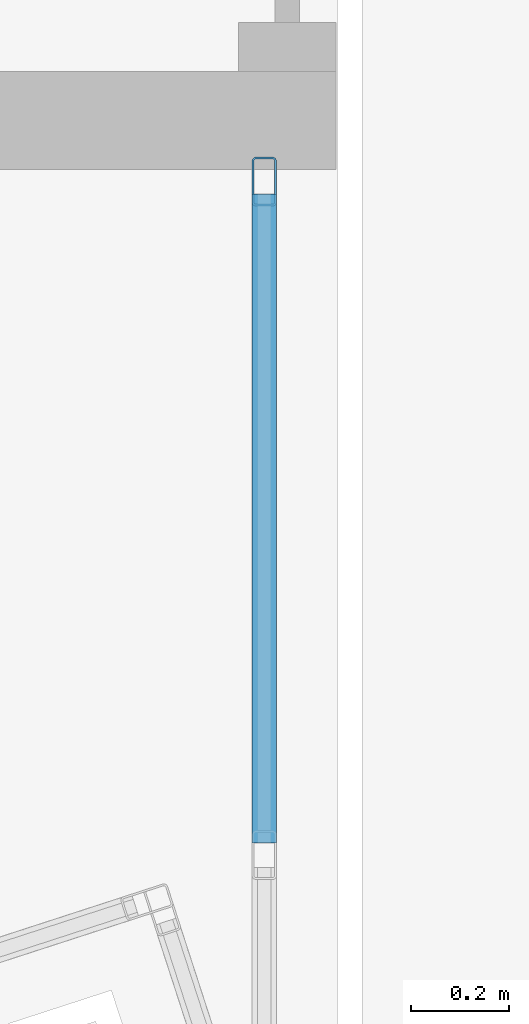
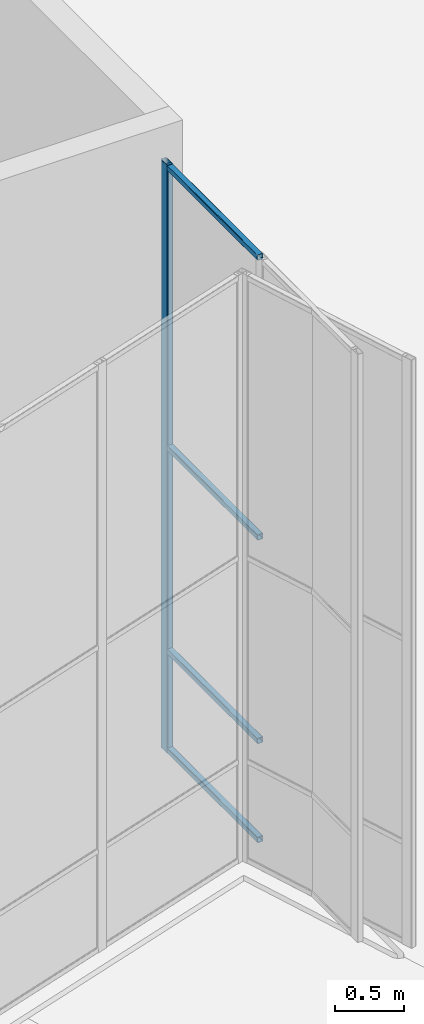
# One storey, part 14 of 72: 5 members, 1 element without a shape of its own.
"""IFC4 building model written with IfcOpenShell, lengths in metres."""

from ifc_helpers import new_model, si_unit, direction, frame, origin, origin_2d, place, context, subcontext, project, spatial, hollow_rectangle, extrude, material, layer, layer_set, material_profile, profile_set, type_object, element, aggregate, save


model = new_model("IFC4")

# Units and contexts
model_context = context("Model", 3, precision=1e-05, world=origin(), true_north=direction((0.0, 1.0)))
body_context = subcontext(model_context, "Body", "Model", "MODEL_VIEW")
ifc_project = project(units=[si_unit("LENGTHUNIT", "METRE"), si_unit("AREAUNIT", "SQUARE_METRE"), si_unit("VOLUMEUNIT", "CUBIC_METRE"), si_unit("PLANEANGLEUNIT", "RADIAN"), si_unit("MASSUNIT", "GRAM", prefix="KILO")], contexts=[model_context])

# Site, building, storey
site_placement = place(None, origin())
site = spatial("IfcSite", under=ifc_project, at=site_placement, CompositionType="ELEMENT")
building_placement = place(site_placement, origin())
building = spatial("IfcBuilding", under=site, at=building_placement, Name="Tuart Plaza Theatre", CompositionType="ELEMENT")
storey_placement = place(building_placement, origin())
storey = spatial("IfcBuildingStorey", under=building, at=storey_placement, Name="L00", CompositionType="ELEMENT", Elevation=0.0)

# Curtain wall, members
ifc_material_1 = material(Name="Aluminium and glass", Category="aluminium")
ifc_layer = layer(ifc_material_1, 0.10009765625)
ifc_layer_set = layer_set([ifc_layer], Name="CURTAIN WALL 1500 module")
curtain_wall_type = type_object("IfcCurtainWallType", Name="CURTAIN WALL 1500 module", PredefinedType="NOTDEFINED", material=ifc_layer_set)
curtain_wall_placement = place(storey_placement, origin())
curtain_wall = element("IfcCurtainWall", 1, at=curtain_wall_placement, inside=storey, type_object=curtain_wall_type, Name="CW9", PredefinedType="NOTDEFINED")
ifc_material_2 = material(Name="Aluminium 6063-T5", Category="aluminium")
ifc_material_profile_1 = material_profile(ifc_material_2, hollow_rectangle(XDim=0.050048828125, YDim=0.10009765625, WallThickness=0.00390625, InnerFilletRadius=0.00390625, OuterFilletRadius=0.008056640625, at=origin_2d()), Name="RHS 100x50x4")
ifc_profile_set_1 = profile_set([ifc_material_profile_1], Name="Aluminium 6063-T5")
member_type_1 = type_object("IfcMemberType", Name="MULLION RHS 100x50x4", PredefinedType="MULLION", material=ifc_profile_set_1)
member_1_placement = place(storey_placement, frame((110.212890625, 44.375, 0.0), z_axis=(0.0, 0.0, 1.0), x_axis=(-1.0, 0.0, 0.0)))
member_1 = element("IfcMember", 2, at=member_1_placement, type_object=member_type_1, Name="CW9 mullion 3", PredefinedType="MULLION", context=body_context, shape_type="SweptSolid", body=[
    extrude(hollow_rectangle(XDim=0.050048828125, YDim=0.10009765625, WallThickness=0.00390625, InnerFilletRadius=0.00390625, OuterFilletRadius=0.008056640625, at=origin_2d()), origin(), (0.0, 0.0, 1.0), 5.199951171875),
])
ifc_material_3 = material(Name="Aluminium 6063-T5", Category="aluminium")
ifc_material_profile_2 = material_profile(ifc_material_3, hollow_rectangle(XDim=0.050048828125, YDim=0.050048828125, WallThickness=0.00390625, InnerFilletRadius=0.00390625, OuterFilletRadius=0.008056640625, at=origin_2d()), Name="RHS 50x50x4")
ifc_profile_set_2 = profile_set([ifc_material_profile_2], Name="Aluminium 6063-T5")
member_type_2 = type_object("IfcMemberType", Name="TRANSOM RHS 50x50x4", PredefinedType="USERDEFINED", material=ifc_profile_set_2)
member_2_placement = place(storey_placement, frame((110.212890625, 43.021484375, 0.02490234375), z_axis=(0.0, 1.0, 0.0), x_axis=(-1.0, 0.0, 0.0)))
member_2 = element("IfcMember", 3, at=member_2_placement, type_object=member_type_2, Name="CW9 transom 2.1", ObjectType="TRANSOM", PredefinedType="USERDEFINED", context=body_context, shape_type="SweptSolid", body=[
    extrude(hollow_rectangle(XDim=0.050048828125, YDim=0.050048828125, WallThickness=0.00390625, InnerFilletRadius=0.00390625, OuterFilletRadius=0.008056640625, at=origin_2d()), origin(), (0.0, 0.0, 1.0), 1.32861328125),
])
member_3_placement = place(storey_placement, frame((110.212890625, 43.021484375, 0.89990234375), z_axis=(0.0, 1.0, 0.0), x_axis=(-1.0, 0.0, 0.0)))
member_3 = element("IfcMember", 4, at=member_3_placement, type_object=member_type_2, Name="CW9 transom 2.2", ObjectType="TRANSOM", PredefinedType="USERDEFINED", context=body_context, shape_type="SweptSolid", body=[
    extrude(hollow_rectangle(XDim=0.050048828125, YDim=0.050048828125, WallThickness=0.00390625, InnerFilletRadius=0.00390625, OuterFilletRadius=0.008056640625, at=origin_2d()), origin(), (0.0, 0.0, 1.0), 1.32861328125),
])
member_4_placement = place(storey_placement, frame((110.212890625, 43.021484375, 2.699951171875), z_axis=(0.0, 1.0, 0.0), x_axis=(-1.0, 0.0, 0.0)))
member_4 = element("IfcMember", 5, at=member_4_placement, type_object=member_type_2, Name="CW9 transom 2.3", ObjectType="TRANSOM", PredefinedType="USERDEFINED", context=body_context, shape_type="SweptSolid", body=[
    extrude(hollow_rectangle(XDim=0.050048828125, YDim=0.050048828125, WallThickness=0.00390625, InnerFilletRadius=0.00390625, OuterFilletRadius=0.008056640625, at=origin_2d()), origin(), (0.0, 0.0, 1.0), 1.32861328125),
])
member_5_placement = place(storey_placement, frame((110.212890625, 43.021484375, 5.175048828125), z_axis=(0.0, 1.0, 0.0), x_axis=(-1.0, 0.0, 0.0)))
member_5 = element("IfcMember", 6, at=member_5_placement, type_object=member_type_2, Name="CW9 transom 2.4", ObjectType="TRANSOM", PredefinedType="USERDEFINED", context=body_context, shape_type="SweptSolid", body=[
    extrude(hollow_rectangle(XDim=0.050048828125, YDim=0.050048828125, WallThickness=0.00390625, InnerFilletRadius=0.00390625, OuterFilletRadius=0.008056640625, at=origin_2d()), origin(), (0.0, 0.0, 1.0), 1.32861328125),
])
aggregate(curtain_wall, [member_1, member_2, member_3, member_4, member_5])

save(model, "model.ifc")
